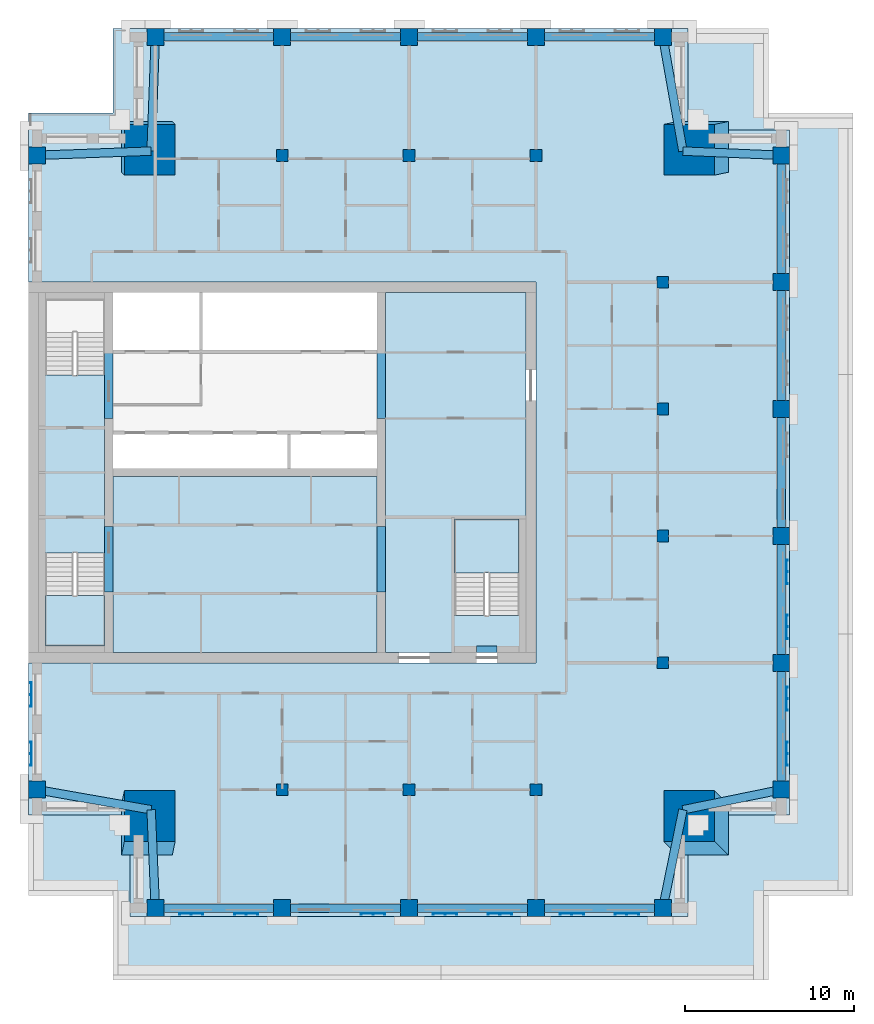
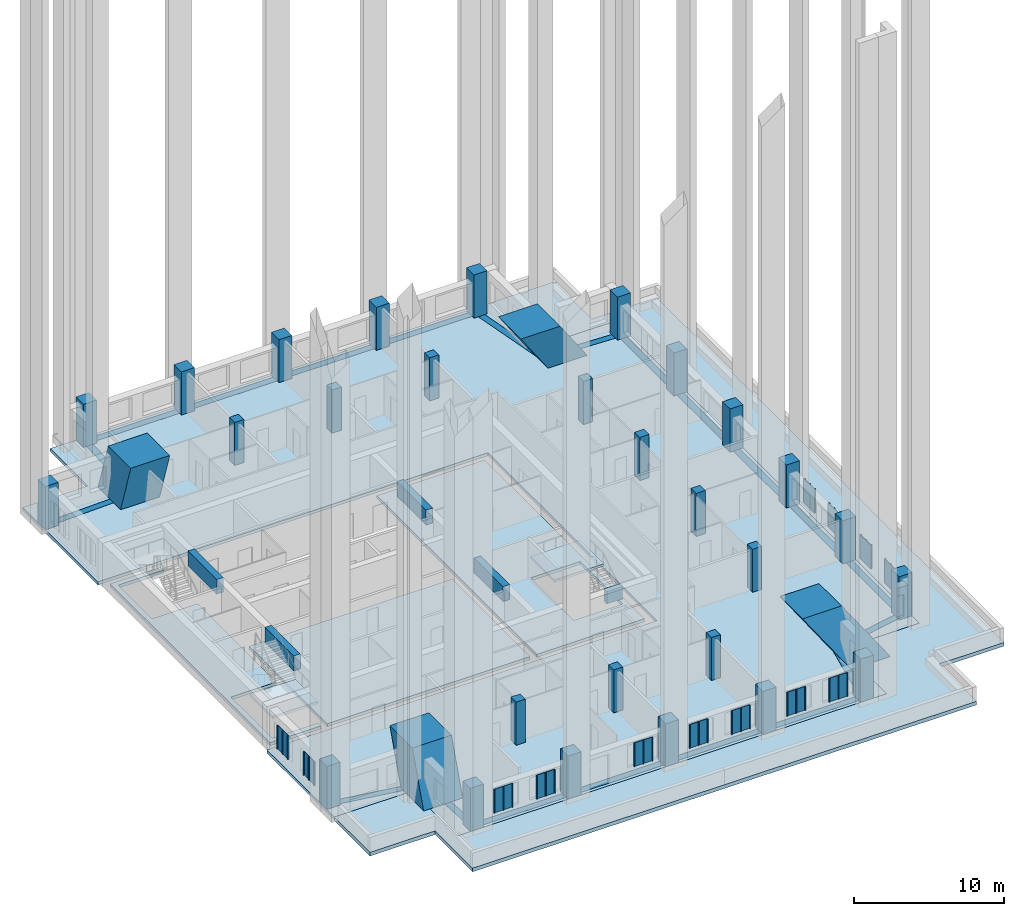
# One storey, part 1 of 12: 32 columns, 26 beams, 13 plates, 7 slabs, 2 elements without a shape of their own.
"""IFC4 building model written with IfcOpenShell, lengths in metres."""

from ifc_helpers import new_model, si_unit, direction, frame, origin, origin_2d, place, context, subcontext, project, spatial, polyline, rectangle, outline, extrude, material, layer, layer_set, material_profile, profile_set, type_object, element, aggregate, save


model = new_model("IFC4")

# Units and contexts
model_context = context("Model", 3, precision=1e-05, world=origin(), true_north=direction((0.0, 1.0)))
body_context = subcontext(model_context, "Body", "Model", "MODEL_VIEW")
ifc_project = project(units=[si_unit("LENGTHUNIT", "METRE"), si_unit("AREAUNIT", "SQUARE_METRE"), si_unit("VOLUMEUNIT", "CUBIC_METRE"), si_unit("PLANEANGLEUNIT", "RADIAN"), si_unit("MASSUNIT", "GRAM", prefix="KILO")], contexts=[model_context])

# Site, building, storey
site_placement = place(None, origin())
site = spatial("IfcSite", under=ifc_project, at=site_placement, CompositionType="ELEMENT")
building_placement = place(site_placement, origin())
building = spatial("IfcBuilding", under=site, at=building_placement, Name="Tamorin Gate", CompositionType="ELEMENT")
storey_placement = place(building_placement, frame((0.0, 0.0, 266.199951171875)))
storey = spatial("IfcBuildingStorey", under=building, at=storey_placement, Name="L66", CompositionType="ELEMENT", Elevation=266.199951171875)

# Columns
ifc_material_1 = material(Name="Concrete C50/60", Category="concrete")
ifc_material_profile_1 = material_profile(ifc_material_1, rectangle(XDim=1.0, YDim=1.0, at=origin_2d()), Name="RC 1000x1000")
ifc_profile_set_1 = profile_set([ifc_material_profile_1], Name="Concrete C50/60")
column_type_1 = type_object("IfcColumnType", Name="RC column 1000x1000 C50/60", PredefinedType="COLUMN", material=ifc_profile_set_1)
for number, where, z_axis, x_axis, name in (
    (1, (30.5, 52.5, 0.0), (0.0, 0.0, 1.0), (1.0, 0.0, 0.0), "Ring column L66"),
    (2, (30.5, 90.0, 0.0), (0.0, 0.0, 1.0), (1.0, 0.0, 0.0), "Ring column L66"),
    (3, (37.5, 45.5, 0.0), (0.0, 0.0, 1.0), (1.0, 0.0, 0.0), "Ring column L66"),
    (4, (37.5, 97.0, 0.0), (0.0, 0.0, 1.0), (1.0, 0.0, 0.0), "Ring column L66"),
    (5, (45.0, 45.5, 0.0), (0.0, 0.0, 1.0), (1.0, 0.0, 0.0), "Ring column L66"),
    (6, (45.0, 97.0, 0.0), (0.0, 0.0, 1.0), (1.0, 0.0, 0.0), "Ring column L66"),
    (7, (52.5, 45.5, 0.0), (0.0, 0.0, 1.0), (1.0, 0.0, 0.0), "Ring column L66"),
    (8, (52.5, 97.0, 0.0), (0.0, 0.0, 1.0), (1.0, 0.0, 0.0), "Ring column L66"),
    (9, (60.0, 45.5, 0.0), (0.0, 0.0, 1.0), (1.0, 0.0, 0.0), "Ring column L66"),
    (10, (60.0, 97.0, 0.0), (0.0, 0.0, 1.0), (1.0, 0.0, 0.0), "Ring column L66"),
    (11, (67.5, 45.5, 0.0), (0.0, 0.0, 1.0), (1.0, 0.0, 0.0), "Ring column L66"),
    (12, (67.5, 97.0, 0.0), (0.0, 0.0, 1.0), (1.0, 0.0, 0.0), "Ring column L66"),
    (13, (74.5, 52.5, 0.0), (0.0, 0.0, 1.0), (1.0, 0.0, 0.0), "Ring column L66"),
    (14, (74.5, 60.0, 0.0), (0.0, 0.0, 1.0), (1.0, 0.0, 0.0), "Ring column L66"),
    (15, (74.5, 67.5, 0.0), (0.0, 0.0, 1.0), (1.0, 0.0, 0.0), "Ring column L66"),
    (16, (74.5, 75.0, 0.0), (0.0, 0.0, 1.0), (1.0, 0.0, 0.0), "Ring column L66"),
    (17, (74.5, 82.5, 0.0), (0.0, 0.0, 1.0), (1.0, 0.0, 0.0), "Ring column L66"),
    (18, (74.5, 90.0, 0.0), (0.0, 0.0, 1.0), (1.0, 0.0, 0.0), "Ring column L66"),
):
    element("IfcColumn", number, at=place(storey_placement, frame(where, z_axis=z_axis, x_axis=x_axis)), inside=storey, type_object=column_type_1, Name=name, PredefinedType="COLUMN", context=body_context, shape_type="SweptSolid", body=[
        extrude(rectangle(XDim=1.0, YDim=1.0, at=origin_2d()), origin(), (0.0, 0.0, 1.0), 3.5),
    ])
ifc_material_profile_2 = material_profile(ifc_material_1, rectangle(XDim=3.0, YDim=3.0, at=origin_2d()), Name="RC 3000x3000")
ifc_profile_set_2 = profile_set([ifc_material_profile_2], Name="Concrete C50/60")
column_type_2 = type_object("IfcColumnType", Name="RC column 3000x3000 C50/60", PredefinedType="COLUMN", material=ifc_profile_set_2)
column_1_placement = place(storey_placement, frame((37.0, 50.125, 0.0), z_axis=(0.0, 0.0, 1.0), x_axis=(1.0, 0.0, 0.0)))
element("IfcColumn", 19, at=column_1_placement, inside=storey, type_object=column_type_2, Name="Mega column SW L66", PredefinedType="COLUMN", context=body_context, shape_type="SweptSolid", body=[
    extrude(rectangle(XDim=3.0, YDim=3.0, at=origin_2d()), origin(), (0.117393454177, 0.55761890734, 0.821754179237), 4.25927734375),
])
column_2_placement = place(storey_placement, frame((69.875, 50.125, 0.0), z_axis=(0.0, 0.0, 1.0), x_axis=(0.0, 1.0, 0.0)))
element("IfcColumn", 20, at=column_2_placement, inside=storey, type_object=column_type_2, Name="Mega column SE L66", PredefinedType="COLUMN", context=body_context, shape_type="SweptSolid", body=[
    extrude(rectangle(XDim=3.0, YDim=3.0, at=origin_2d()), origin(), (0.489599668429, 0.489599668429, 0.721515300842), 4.850830078125),
])
column_3_placement = place(storey_placement, frame((37.0, 90.5, 0.0), z_axis=(0.0, 0.0, 1.0), x_axis=(0.0, -1.0, 0.0)))
element("IfcColumn", 21, at=column_3_placement, inside=storey, type_object=column_type_2, Name="Mega column NW L66", PredefinedType="COLUMN", context=body_context, shape_type="SweptSolid", body=[
    extrude(rectangle(XDim=3.0, YDim=3.0, at=origin_2d()), origin(), (0.140028008403, 0.140028008403, 0.98019605882), 3.57080078125),
])
column_4_placement = place(storey_placement, frame((69.875, 90.5, 0.0), z_axis=(0.0, 0.0, 1.0), x_axis=(-1.0, 0.0, 0.0)))
element("IfcColumn", 22, at=column_4_placement, inside=storey, type_object=column_type_2, Name="Mega column NE L66", PredefinedType="COLUMN", context=body_context, shape_type="SweptSolid", body=[
    extrude(rectangle(XDim=3.0, YDim=3.0, at=origin_2d()), origin(), (0.55761890734, 0.117393454177, 0.821754179237), 4.25927734375),
])
ifc_material_profile_3 = material_profile(ifc_material_1, rectangle(XDim=0.699951171875, YDim=0.699951171875, at=origin_2d()), Name="RC 700x700")
ifc_profile_set_3 = profile_set([ifc_material_profile_3], Name="Concrete C50/60")
column_type_3 = type_object("IfcColumnType", Name="RC column 700x700 C50/60", PredefinedType="COLUMN", material=ifc_profile_set_3)
for number, where, z_axis, x_axis, name in (
    (23, (45.0, 52.5, 0.0), (0.0, 0.0, 1.0), (1.0, 0.0, 0.0), "Interior column L66"),
    (24, (45.0, 90.0, 0.0), (0.0, 0.0, 1.0), (1.0, 0.0, 0.0), "Interior column L66"),
    (25, (52.5, 52.5, 0.0), (0.0, 0.0, 1.0), (1.0, 0.0, 0.0), "Interior column L66"),
    (26, (52.5, 90.0, 0.0), (0.0, 0.0, 1.0), (1.0, 0.0, 0.0), "Interior column L66"),
    (27, (60.0, 52.5, 0.0), (0.0, 0.0, 1.0), (1.0, 0.0, 0.0), "Interior column L66"),
    (28, (60.0, 90.0, 0.0), (0.0, 0.0, 1.0), (1.0, 0.0, 0.0), "Interior column L66"),
    (29, (67.5, 60.0, 0.0), (0.0, 0.0, 1.0), (1.0, 0.0, 0.0), "Interior column L66"),
    (30, (67.5, 67.5, 0.0), (0.0, 0.0, 1.0), (1.0, 0.0, 0.0), "Interior column L66"),
    (31, (67.5, 75.0, 0.0), (0.0, 0.0, 1.0), (1.0, 0.0, 0.0), "Interior column L66"),
    (32, (67.5, 82.5, 0.0), (0.0, 0.0, 1.0), (1.0, 0.0, 0.0), "Interior column L66"),
):
    element("IfcColumn", number, at=place(storey_placement, frame(where, z_axis=z_axis, x_axis=x_axis)), inside=storey, type_object=column_type_3, Name=name, PredefinedType="COLUMN", context=body_context, shape_type="SweptSolid", body=[
        extrude(rectangle(XDim=0.699951171875, YDim=0.699951171875, at=origin_2d()), origin(), (0.0, 0.0, 1.0), 3.5),
    ])

# Beams
ifc_material_profile_4 = material_profile(ifc_material_1, rectangle(XDim=0.5, YDim=1.199951171875, at=origin_2d()), Name="RC 500x1200")
ifc_profile_set_4 = profile_set([ifc_material_profile_4], Name="Concrete C50/60")
beam_type_1 = type_object("IfcBeamType", Name="RC coupling beam 500x1200 C50/60", PredefinedType="BEAM", material=ifc_profile_set_4)
for number, where, z_axis, x_axis, name in (
    (33, (34.75, 64.199951171875, 2.900146484375), (0.0, 1.0, 0.0), (-1.0, 0.0, 0.0), "Coupling beam L66"),
    (34, (34.75, 74.449951171875, 2.900146484375), (0.0, 1.0, 0.0), (-1.0, 0.0, 0.0), "Coupling beam L66"),
    (35, (50.85009765625, 64.199951171875, 2.900146484375), (0.0, 1.0, 0.0), (-1.0, 0.0, 0.0), "Coupling beam L66"),
    (36, (50.85009765625, 74.449951171875, 2.900146484375), (0.0, 1.0, 0.0), (-1.0, 0.0, 0.0), "Coupling beam L66"),
):
    element("IfcBeam", number, at=place(storey_placement, frame(where, z_axis=z_axis, x_axis=x_axis)), inside=storey, type_object=beam_type_1, Name=name, PredefinedType="BEAM", context=body_context, shape_type="SweptSolid", body=[
        extrude(rectangle(XDim=0.5, YDim=1.199951171875, at=origin_2d()), origin(), (0.0, 0.0, 1.0), 3.85009765625),
    ])
ifc_material_profile_5 = material_profile(ifc_material_1, rectangle(XDim=0.5, YDim=0.75, at=origin_2d()), Name="RC 500x750")
ifc_profile_set_5 = profile_set([ifc_material_profile_5], Name="Concrete C50/60")
beam_type_2 = type_object("IfcBeamType", Name="RC spandrel 500x750 C50/60", PredefinedType="BEAM", material=ifc_profile_set_5)
for number, where, z_axis, x_axis, name in (
    (37, (37.5, 45.5, -0.375), (1.0, 0.0, 0.0), (0.0, 1.0, 0.0), "Spandrel beam L66"),
    (38, (45.0, 45.5, -0.375), (1.0, 0.0, 0.0), (0.0, 1.0, 0.0), "Spandrel beam L66"),
    (39, (52.5, 45.5, -0.375), (1.0, 0.0, 0.0), (0.0, 1.0, 0.0), "Spandrel beam L66"),
    (40, (60.0, 45.5, -0.375), (1.0, 0.0, 0.0), (0.0, 1.0, 0.0), "Spandrel beam L66"),
    (41, (74.5, 52.5, -0.375), (0.0, 1.0, 0.0), (-1.0, 0.0, 0.0), "Spandrel beam L66"),
    (42, (74.5, 60.0, -0.375), (0.0, 1.0, 0.0), (-1.0, 0.0, 0.0), "Spandrel beam L66"),
    (43, (74.5, 67.5, -0.375), (0.0, 1.0, 0.0), (-1.0, 0.0, 0.0), "Spandrel beam L66"),
    (44, (74.5, 75.0, -0.375), (0.0, 1.0, 0.0), (-1.0, 0.0, 0.0), "Spandrel beam L66"),
    (45, (74.5, 82.5, -0.375), (0.0, 1.0, 0.0), (-1.0, 0.0, 0.0), "Spandrel beam L66"),
    (46, (67.5, 97.0, -0.375), (-1.0, 0.0, 0.0), (0.0, -1.0, 0.0), "Spandrel beam L66"),
    (47, (60.0, 97.0, -0.375), (-1.0, 0.0, 0.0), (0.0, -1.0, 0.0), "Spandrel beam L66"),
    (48, (52.5, 97.0, -0.375), (-1.0, 0.0, 0.0), (0.0, -1.0, 0.0), "Spandrel beam L66"),
    (49, (45.0, 97.0, -0.375), (-1.0, 0.0, 0.0), (0.0, -1.0, 0.0), "Spandrel beam L66"),
):
    element("IfcBeam", number, at=place(storey_placement, frame(where, z_axis=z_axis, x_axis=x_axis)), inside=storey, type_object=beam_type_2, Name=name, PredefinedType="BEAM", context=body_context, shape_type="SweptSolid", body=[
        extrude(rectangle(XDim=0.5, YDim=0.75, at=origin_2d()), origin(), (0.0, 0.0, 1.0), 7.5),
    ])
beam_1_placement = place(storey_placement, frame((37.25, 51.3125, -0.375), z_axis=(0.04297102447, -0.999076318935, 0.0), x_axis=(0.999076318935, 0.04297102447, 0.0)))
element("IfcBeam", 50, at=beam_1_placement, inside=storey, type_object=beam_type_2, Name="Corner tie beam L66", PredefinedType="BEAM", context=body_context, shape_type="SweptSolid", body=[
    extrude(rectangle(XDim=0.5, YDim=0.75, at=origin_2d()), origin(), (0.0, 0.0, 1.0), 5.81787109375),
])
beam_2_placement = place(storey_placement, frame((37.25, 51.3125, -0.375), z_axis=(-0.984875225589, 0.173265085983, 0.0), x_axis=(-0.173265085983, -0.984875225589, 0.0)))
element("IfcBeam", 51, at=beam_2_placement, inside=storey, type_object=beam_type_2, Name="Corner tie beam L66", PredefinedType="BEAM", context=body_context, shape_type="SweptSolid", body=[
    extrude(rectangle(XDim=0.5, YDim=0.75, at=origin_2d()), origin(), (0.0, 0.0, 1.0), 6.853759765625),
])
for number, where, z_axis, x_axis, name in (
    (52, (68.6875, 51.3125, -0.375), (-0.200166412454, -0.979761913592, 0.0), (0.979761913592, -0.200166412454, 0.0), "Corner tie beam L66"),
    (53, (68.6875, 51.3125, -0.375), (0.979761913592, 0.200166412454, 0.0), (-0.200166412454, 0.979761913592, 0.0), "Corner tie beam L66"),
):
    element("IfcBeam", number, at=place(storey_placement, frame(where, z_axis=z_axis, x_axis=x_axis)), inside=storey, type_object=beam_type_2, Name=name, PredefinedType="BEAM", context=body_context, shape_type="SweptSolid", body=[
        extrude(rectangle(XDim=0.5, YDim=0.75, at=origin_2d()), origin(), (0.0, 0.0, 1.0), 5.9326171875),
    ])
for number, where, z_axis, x_axis, name in (
    (54, (37.25, 90.25, -0.375), (-0.999314833767, -0.03701166051, 0.0), (0.03701166051, -0.999314833767, 0.0), "Corner tie beam L66"),
    (55, (37.25, 90.25, -0.375), (0.03701166051, 0.999314833767, 0.0), (-0.999314833767, 0.03701166051, 0.0), "Corner tie beam L66"),
):
    element("IfcBeam", number, at=place(storey_placement, frame(where, z_axis=z_axis, x_axis=x_axis)), inside=storey, type_object=beam_type_2, Name=name, PredefinedType="BEAM", context=body_context, shape_type="SweptSolid", body=[
        extrude(rectangle(XDim=0.5, YDim=0.75, at=origin_2d()), origin(), (0.0, 0.0, 1.0), 6.754638671875),
    ])
beam_3_placement = place(storey_placement, frame((68.6875, 90.25, -0.375), z_axis=(0.999076318935, -0.04297102447, 0.0), x_axis=(0.04297102447, 0.999076318935, 0.0)))
element("IfcBeam", 56, at=beam_3_placement, inside=storey, type_object=beam_type_2, Name="Corner tie beam L66", PredefinedType="BEAM", context=body_context, shape_type="SweptSolid", body=[
    extrude(rectangle(XDim=0.5, YDim=0.75, at=origin_2d()), origin(), (0.0, 0.0, 1.0), 5.81787109375),
])
beam_4_placement = place(storey_placement, frame((68.6875, 90.25, -0.375), z_axis=(-0.173265085983, 0.984875225589, 0.0), x_axis=(-0.984875225589, -0.173265085983, 0.0)))
element("IfcBeam", 57, at=beam_4_placement, inside=storey, type_object=beam_type_2, Name="Corner tie beam L66", PredefinedType="BEAM", context=body_context, shape_type="SweptSolid", body=[
    extrude(rectangle(XDim=0.5, YDim=0.75, at=origin_2d()), origin(), (0.0, 0.0, 1.0), 6.853759765625),
])
ifc_material_profile_6 = material_profile(ifc_material_1, rectangle(XDim=0.39990234375, YDim=1.0, at=origin_2d()))
ifc_profile_set_6 = profile_set([ifc_material_profile_6], Name="Concrete C50/60")
beam_type_3 = type_object("IfcBeamType", Name="Stair lintel 400x1000 C50/60", PredefinedType="BEAM", material=ifc_profile_set_6)
beam_5_placement = place(storey_placement, frame((56.5, 60.800048828125, 2.699951171875), z_axis=(1.0, 0.0, 0.0), x_axis=(0.0, 1.0, 0.0)))
element("IfcBeam", 58, at=beam_5_placement, inside=storey, type_object=beam_type_3, Name="Stair lintel", PredefinedType="BEAM", context=body_context, shape_type="SweptSolid", body=[
    extrude(rectangle(XDim=0.39990234375, YDim=1.0, at=origin_2d()), origin(), (0.0, 0.0, 1.0), 1.199951171875),
])

# Slabs
ifc_material_2 = material(Name="Concrete C40/50", Category="concrete")
ifc_layer_1 = layer(ifc_material_2, 0.25)
ifc_layer_set_1 = layer_set([ifc_layer_1], Name="Core floor slab 250 C40/50")
slab_type_1 = type_object("IfcSlabType", Name="Core floor slab 250 C40/50", PredefinedType="FLOOR", material=ifc_layer_set_1)
slab_1_placement = place(storey_placement, frame((0.0, 0.0, -0.25)))
element("IfcSlab", 59, at=slab_1_placement, inside=storey, type_object=slab_type_1, Name="Core floor L66", PredefinedType="FLOOR", context=body_context, shape_type="SweptSolid", body=[
    extrude(outline(polyline([(51.10009765625, 81.89990234375), (59.39990234375, 81.89990234375), (59.39990234375, 60.60009765625), (51.10009765625, 60.60009765625), (51.10009765625, 81.89990234375)]), holes=[polyline([(55.199951171875, 62.800048828125), (59.0, 62.800048828125), (59.0, 68.5), (55.199951171875, 68.5), (55.199951171875, 62.800048828125)])]), origin(), (0.0, 0.0, 1.0), 0.25),
])
slab_2_placement = place(storey_placement, frame((0.0, 0.0, -0.25)))
element("IfcSlab", 60, at=slab_2_placement, inside=storey, type_object=slab_type_1, Name="Core floor L66", PredefinedType="FLOOR", context=body_context, shape_type="SweptSolid", body=[
    extrude(outline(polyline([(50.60009765625, 71.0), (50.60009765625, 60.60009765625), (35.0, 60.60009765625), (35.0, 71.0), (50.60009765625, 71.0)])), origin(), (0.0, 0.0, 1.0), 0.25),
])
slab_3_placement = place(storey_placement, frame((0.0, 0.0, -0.25)))
element("IfcSlab", 61, at=slab_3_placement, inside=storey, type_object=slab_type_1, Name="Core floor L66", PredefinedType="FLOOR", context=body_context, shape_type="SweptSolid", body=[
    extrude(outline(polyline([(34.5, 60.60009765625), (30.60009765625, 60.60009765625), (30.60009765625, 81.89990234375), (34.5, 81.89990234375), (34.5, 81.5), (31.0, 81.5), (31.0, 77.0), (34.5, 77.0), (34.5, 66.5), (31.0, 66.5), (31.0, 61.0), (34.5, 61.0), (34.5, 60.60009765625)])), origin(), (0.0, 0.0, 1.0), 0.25),
])

# Stair, slab
stair_type = type_object("IfcStairType", Name="Exit stair", PredefinedType="HALF_TURN_STAIR", material=ifc_material_2)
stair_1_placement = place(storey_placement, origin())
stair_1 = element("IfcStair", 62, at=stair_1_placement, inside=storey, type_object=stair_type, Name="L66 stair ST1", PredefinedType="HALF_TURN_STAIR")
ifc_layer_2 = layer(ifc_material_2, 0.199951171875)
ifc_layer_set_2 = layer_set([ifc_layer_2], Name="Exit stair landing 200")
slab_type_2 = type_object("IfcSlabType", Name="Exit stair landing 200", PredefinedType="LANDING", material=ifc_layer_set_2)
slab_4_placement = place(storey_placement, frame((0.0, 0.0, 1.550048828125)))
slab_4 = element("IfcSlab", 63, at=slab_4_placement, type_object=slab_type_2, Name="ST1 landing 1", PredefinedType="LANDING", context=body_context, shape_type="SweptSolid", body=[
    extrude(outline(polyline([(31.0, 63.97998046875), (31.0, 61.0), (34.5, 61.0), (34.5, 63.97998046875), (31.0, 63.97998046875)])), origin(), (0.0, 0.0, 1.0), 0.199951171875),
])
aggregate(stair_1, [slab_4])

stair_2_placement = place(storey_placement, origin())
stair_2 = element("IfcStair", 64, at=stair_2_placement, inside=storey, type_object=stair_type, Name="L66 stair ST3", PredefinedType="HALF_TURN_STAIR")
slab_5_placement = place(storey_placement, frame((0.0, 0.0, 1.550048828125)))
slab_5 = element("IfcSlab", 65, at=slab_5_placement, type_object=slab_type_2, Name="ST3 landing 1", PredefinedType="LANDING", context=body_context, shape_type="SweptSolid", body=[
    extrude(outline(polyline([(59.0, 65.320068359375), (59.0, 68.5), (55.199951171875, 68.5), (55.199951171875, 65.320068359375), (59.0, 65.320068359375)])), origin(), (0.0, 0.0, 1.0), 0.199951171875),
])
aggregate(stair_2, [slab_5])

# Slab
ifc_layer_3 = layer(ifc_material_2, 0.25)
ifc_layer_set_3 = layer_set([ifc_layer_3], Name="Floor slab 250 C40/50")
slab_type_3 = type_object("IfcSlabType", Name="Floor slab 250 C40/50", PredefinedType="FLOOR", material=ifc_layer_set_3)
slab_6_placement = place(storey_placement, frame((0.0, 0.0, -0.25)))
element("IfcSlab", 66, at=slab_6_placement, inside=storey, type_object=slab_type_3, Name="Floor L66", PredefinedType="FLOOR", context=body_context, shape_type="SweptSolid", body=[
    extrude(outline(polyline([(69.0, 91.5), (75.0, 91.5), (75.0, 51.0), (69.0, 51.0), (69.0, 45.0), (36.0, 45.0), (36.0, 51.0), (30.0, 51.0), (30.0, 60.0), (60.0, 60.0), (60.0, 82.5), (30.0, 82.5), (30.0, 92.5), (35.0, 92.5), (35.0, 97.5), (69.0, 97.5), (69.0, 91.5)])), origin(), (0.0, 0.0, 1.0), 0.25),
])

# Plates
ifc_material_3 = material(Name="Perforated pale aluminium sheet", Category="aluminium")
ifc_layer_4 = layer(ifc_material_3, 0.0400390625)
ifc_layer_set_4 = layer_set([ifc_layer_4], Name="Pale metal solar screen 1440")
plate_type = type_object("IfcPlateType", Name="Pale metal solar screen 1440", PredefinedType="SHEET", material=ifc_layer_set_4)
plate_1_placement = place(storey_placement, frame((0.0, 0.0, 0.737548828125)))
element("IfcPlate", 67, at=plate_1_placement, inside=storey, type_object=plate_type, Name="Perforated solar screen", PredefinedType="SHEET", context=body_context, shape_type="SweptSolid", body=[
    extrude(outline(polyline([(38.905029296875, 45.159912109375), (38.905029296875, 45.199951171875), (38.965087890625, 45.199951171875), (39.594970703125, 45.199951171875), (39.655029296875, 45.199951171875), (40.284912109375, 45.199951171875), (40.344970703125, 45.199951171875), (40.344970703125, 45.199951171875), (40.344970703125, 45.159912109375), (40.344970703125, 45.159912109375), (40.344970703125, 45.10009765625), (40.284912109375, 45.10009765625), (40.284912109375, 45.159912109375), (39.655029296875, 45.159912109375), (39.655029296875, 45.10009765625), (39.594970703125, 45.10009765625), (39.594970703125, 45.159912109375), (38.965087890625, 45.159912109375), (38.965087890625, 45.10009765625), (38.905029296875, 45.10009765625), (38.905029296875, 45.159912109375)])), origin(), (0.0, 0.0, 1.0), 1.925048828125),
])
plate_2_placement = place(storey_placement, frame((0.0, 0.0, 0.737548828125)))
element("IfcPlate", 68, at=plate_2_placement, inside=storey, type_object=plate_type, Name="Perforated solar screen", PredefinedType="SHEET", context=body_context, shape_type="SweptSolid", body=[
    extrude(outline(polyline([(42.155029296875, 45.159912109375), (42.155029296875, 45.199951171875), (42.215087890625, 45.199951171875), (42.844970703125, 45.199951171875), (42.905029296875, 45.199951171875), (43.534912109375, 45.199951171875), (43.594970703125, 45.199951171875), (43.594970703125, 45.199951171875), (43.594970703125, 45.159912109375), (43.594970703125, 45.159912109375), (43.594970703125, 45.10009765625), (43.534912109375, 45.10009765625), (43.534912109375, 45.159912109375), (42.905029296875, 45.159912109375), (42.905029296875, 45.10009765625), (42.844970703125, 45.10009765625), (42.844970703125, 45.159912109375), (42.215087890625, 45.159912109375), (42.215087890625, 45.10009765625), (42.155029296875, 45.10009765625), (42.155029296875, 45.159912109375)])), origin(), (0.0, 0.0, 1.0), 1.925048828125),
])
plate_3_placement = place(storey_placement, frame((0.0, 0.0, 0.737548828125)))
element("IfcPlate", 69, at=plate_3_placement, inside=storey, type_object=plate_type, Name="Perforated solar screen", PredefinedType="SHEET", context=body_context, shape_type="SweptSolid", body=[
    extrude(outline(polyline([(49.655029296875, 45.159912109375), (49.655029296875, 45.199951171875), (49.715087890625, 45.199951171875), (50.344970703125, 45.199951171875), (50.405029296875, 45.199951171875), (51.034912109375, 45.199951171875), (51.094970703125, 45.199951171875), (51.094970703125, 45.159912109375), (51.094970703125, 45.10009765625), (51.034912109375, 45.10009765625), (51.034912109375, 45.159912109375), (50.405029296875, 45.159912109375), (50.405029296875, 45.10009765625), (50.344970703125, 45.10009765625), (50.344970703125, 45.159912109375), (49.715087890625, 45.159912109375), (49.715087890625, 45.10009765625), (49.655029296875, 45.10009765625), (49.655029296875, 45.159912109375)])), origin(), (0.0, 0.0, 1.0), 1.925048828125),
])
plate_4_placement = place(storey_placement, frame((0.0, 0.0, 0.737548828125)))
element("IfcPlate", 70, at=plate_4_placement, inside=storey, type_object=plate_type, Name="Perforated solar screen", PredefinedType="SHEET", context=body_context, shape_type="SweptSolid", body=[
    extrude(outline(polyline([(53.905029296875, 45.159912109375), (53.905029296875, 45.199951171875), (53.965087890625, 45.199951171875), (54.594970703125, 45.199951171875), (54.655029296875, 45.199951171875), (55.284912109375, 45.199951171875), (55.344970703125, 45.199951171875), (55.344970703125, 45.159912109375), (55.344970703125, 45.10009765625), (55.284912109375, 45.10009765625), (55.284912109375, 45.159912109375), (54.655029296875, 45.159912109375), (54.655029296875, 45.10009765625), (54.594970703125, 45.10009765625), (54.594970703125, 45.159912109375), (53.965087890625, 45.159912109375), (53.965087890625, 45.10009765625), (53.905029296875, 45.10009765625), (53.905029296875, 45.159912109375)])), origin(), (0.0, 0.0, 1.0), 1.925048828125),
])
plate_5_placement = place(storey_placement, frame((0.0, 0.0, 0.737548828125)))
element("IfcPlate", 71, at=plate_5_placement, inside=storey, type_object=plate_type, Name="Perforated solar screen", PredefinedType="SHEET", context=body_context, shape_type="SweptSolid", body=[
    extrude(outline(polyline([(57.155029296875, 45.159912109375), (57.155029296875, 45.199951171875), (57.215087890625, 45.199951171875), (57.844970703125, 45.199951171875), (57.905029296875, 45.199951171875), (58.534912109375, 45.199951171875), (58.594970703125, 45.199951171875), (58.594970703125, 45.159912109375), (58.594970703125, 45.10009765625), (58.534912109375, 45.10009765625), (58.534912109375, 45.159912109375), (57.905029296875, 45.159912109375), (57.905029296875, 45.10009765625), (57.844970703125, 45.10009765625), (57.844970703125, 45.159912109375), (57.215087890625, 45.159912109375), (57.215087890625, 45.10009765625), (57.155029296875, 45.10009765625), (57.155029296875, 45.159912109375)])), origin(), (0.0, 0.0, 1.0), 1.925048828125),
])
plate_6_placement = place(storey_placement, frame((0.0, 0.0, 0.737548828125)))
element("IfcPlate", 72, at=plate_6_placement, inside=storey, type_object=plate_type, Name="Perforated solar screen", PredefinedType="SHEET", context=body_context, shape_type="SweptSolid", body=[
    extrude(outline(polyline([(61.405029296875, 45.159912109375), (61.405029296875, 45.199951171875), (61.465087890625, 45.199951171875), (62.094970703125, 45.199951171875), (62.155029296875, 45.199951171875), (62.784912109375, 45.199951171875), (62.844970703125, 45.199951171875), (62.844970703125, 45.159912109375), (62.844970703125, 45.10009765625), (62.784912109375, 45.10009765625), (62.784912109375, 45.159912109375), (62.155029296875, 45.159912109375), (62.155029296875, 45.10009765625), (62.094970703125, 45.10009765625), (62.094970703125, 45.159912109375), (61.465087890625, 45.159912109375), (61.465087890625, 45.10009765625), (61.405029296875, 45.10009765625), (61.405029296875, 45.159912109375)])), origin(), (0.0, 0.0, 1.0), 1.925048828125),
])
plate_7_placement = place(storey_placement, frame((0.0, 0.0, 0.737548828125)))
element("IfcPlate", 73, at=plate_7_placement, inside=storey, type_object=plate_type, Name="Perforated solar screen", PredefinedType="SHEET", context=body_context, shape_type="SweptSolid", body=[
    extrude(outline(polyline([(64.655029296875, 45.159912109375), (64.655029296875, 45.199951171875), (64.715087890625, 45.199951171875), (65.344970703125, 45.199951171875), (65.405029296875, 45.199951171875), (66.034912109375, 45.199951171875), (66.094970703125, 45.199951171875), (66.094970703125, 45.159912109375), (66.094970703125, 45.10009765625), (66.034912109375, 45.10009765625), (66.034912109375, 45.159912109375), (65.405029296875, 45.159912109375), (65.405029296875, 45.10009765625), (65.344970703125, 45.10009765625), (65.344970703125, 45.159912109375), (64.715087890625, 45.159912109375), (64.715087890625, 45.10009765625), (64.655029296875, 45.10009765625), (64.655029296875, 45.159912109375)])), origin(), (0.0, 0.0, 1.0), 1.925048828125),
])
plate_8_placement = place(storey_placement, frame((0.0, 0.0, 0.737548828125)))
element("IfcPlate", 74, at=plate_8_placement, inside=storey, type_object=plate_type, Name="Perforated solar screen", PredefinedType="SHEET", context=body_context, shape_type="SweptSolid", body=[
    extrude(outline(polyline([(74.840087890625, 53.905029296875), (74.800048828125, 53.905029296875), (74.800048828125, 53.965087890625), (74.800048828125, 54.594970703125), (74.800048828125, 54.655029296875), (74.800048828125, 55.284912109375), (74.800048828125, 55.344970703125), (74.800048828125, 55.344970703125), (74.840087890625, 55.344970703125), (74.840087890625, 55.344970703125), (74.89990234375, 55.344970703125), (74.89990234375, 55.284912109375), (74.840087890625, 55.284912109375), (74.840087890625, 54.655029296875), (74.89990234375, 54.655029296875), (74.89990234375, 54.594970703125), (74.840087890625, 54.594970703125), (74.840087890625, 53.965087890625), (74.89990234375, 53.965087890625), (74.89990234375, 53.905029296875), (74.840087890625, 53.905029296875)])), origin(), (0.0, 0.0, 1.0), 1.925048828125),
])
plate_9_placement = place(storey_placement, frame((0.0, 0.0, 0.737548828125)))
element("IfcPlate", 75, at=plate_9_placement, inside=storey, type_object=plate_type, Name="Perforated solar screen", PredefinedType="SHEET", context=body_context, shape_type="SweptSolid", body=[
    extrude(outline(polyline([(74.840087890625, 57.155029296875), (74.800048828125, 57.155029296875), (74.800048828125, 57.215087890625), (74.800048828125, 57.844970703125), (74.800048828125, 57.905029296875), (74.800048828125, 58.534912109375), (74.800048828125, 58.594970703125), (74.800048828125, 58.594970703125), (74.840087890625, 58.594970703125), (74.840087890625, 58.594970703125), (74.89990234375, 58.594970703125), (74.89990234375, 58.534912109375), (74.840087890625, 58.534912109375), (74.840087890625, 57.905029296875), (74.89990234375, 57.905029296875), (74.89990234375, 57.844970703125), (74.840087890625, 57.844970703125), (74.840087890625, 57.215087890625), (74.89990234375, 57.215087890625), (74.89990234375, 57.155029296875), (74.840087890625, 57.155029296875)])), origin(), (0.0, 0.0, 1.0), 1.925048828125),
])
plate_10_placement = place(storey_placement, frame((0.0, 0.0, 0.737548828125)))
element("IfcPlate", 76, at=plate_10_placement, inside=storey, type_object=plate_type, Name="Perforated solar screen", PredefinedType="SHEET", context=body_context, shape_type="SweptSolid", body=[
    extrude(outline(polyline([(74.840087890625, 61.405029296875), (74.800048828125, 61.405029296875), (74.800048828125, 61.465087890625), (74.800048828125, 62.094970703125), (74.800048828125, 62.155029296875), (74.800048828125, 62.784912109375), (74.800048828125, 62.844970703125), (74.840087890625, 62.844970703125), (74.89990234375, 62.844970703125), (74.89990234375, 62.784912109375), (74.840087890625, 62.784912109375), (74.840087890625, 62.155029296875), (74.89990234375, 62.155029296875), (74.89990234375, 62.094970703125), (74.840087890625, 62.094970703125), (74.840087890625, 61.465087890625), (74.89990234375, 61.465087890625), (74.89990234375, 61.405029296875), (74.840087890625, 61.405029296875)])), origin(), (0.0, 0.0, 1.0), 1.925048828125),
])
plate_11_placement = place(storey_placement, frame((0.0, 0.0, 0.737548828125)))
element("IfcPlate", 77, at=plate_11_placement, inside=storey, type_object=plate_type, Name="Perforated solar screen", PredefinedType="SHEET", context=body_context, shape_type="SweptSolid", body=[
    extrude(outline(polyline([(74.840087890625, 64.655029296875), (74.800048828125, 64.655029296875), (74.800048828125, 64.715087890625), (74.800048828125, 65.344970703125), (74.800048828125, 65.405029296875), (74.800048828125, 66.034912109375), (74.800048828125, 66.094970703125), (74.840087890625, 66.094970703125), (74.89990234375, 66.094970703125), (74.89990234375, 66.034912109375), (74.840087890625, 66.034912109375), (74.840087890625, 65.405029296875), (74.89990234375, 65.405029296875), (74.89990234375, 65.344970703125), (74.840087890625, 65.344970703125), (74.840087890625, 64.715087890625), (74.89990234375, 64.715087890625), (74.89990234375, 64.655029296875), (74.840087890625, 64.655029296875)])), origin(), (0.0, 0.0, 1.0), 1.925048828125),
])
plate_12_placement = place(storey_placement, frame((0.0, 0.0, 0.737548828125)))
element("IfcPlate", 78, at=plate_12_placement, inside=storey, type_object=plate_type, Name="Perforated solar screen", PredefinedType="SHEET", context=body_context, shape_type="SweptSolid", body=[
    extrude(outline(polyline([(30.159912109375, 55.344970703125), (30.199951171875, 55.344970703125), (30.199951171875, 55.284912109375), (30.199951171875, 54.655029296875), (30.199951171875, 54.594970703125), (30.199951171875, 53.965087890625), (30.199951171875, 53.905029296875), (30.159912109375, 53.905029296875), (30.10009765625, 53.905029296875), (30.10009765625, 53.965087890625), (30.159912109375, 53.965087890625), (30.159912109375, 54.594970703125), (30.10009765625, 54.594970703125), (30.10009765625, 54.655029296875), (30.159912109375, 54.655029296875), (30.159912109375, 55.284912109375), (30.10009765625, 55.284912109375), (30.10009765625, 55.344970703125), (30.159912109375, 55.344970703125)])), origin(), (0.0, 0.0, 1.0), 1.925048828125),
])
plate_13_placement = place(storey_placement, frame((0.0, 0.0, 0.737548828125)))
element("IfcPlate", 79, at=plate_13_placement, inside=storey, type_object=plate_type, Name="Perforated solar screen", PredefinedType="SHEET", context=body_context, shape_type="SweptSolid", body=[
    extrude(outline(polyline([(30.159912109375, 58.844970703125), (30.199951171875, 58.844970703125), (30.199951171875, 58.784912109375), (30.199951171875, 58.155029296875), (30.199951171875, 58.094970703125), (30.199951171875, 57.465087890625), (30.199951171875, 57.405029296875), (30.159912109375, 57.405029296875), (30.10009765625, 57.405029296875), (30.10009765625, 57.465087890625), (30.159912109375, 57.465087890625), (30.159912109375, 58.094970703125), (30.10009765625, 58.094970703125), (30.10009765625, 58.155029296875), (30.159912109375, 58.155029296875), (30.159912109375, 58.784912109375), (30.10009765625, 58.784912109375), (30.10009765625, 58.844970703125), (30.159912109375, 58.844970703125)])), origin(), (0.0, 0.0, 1.0), 1.925048828125),
])

# Slab
ifc_layer_5 = layer(ifc_material_2, 0.300048828125)
ifc_layer_set_5 = layer_set([ifc_layer_5], Name="Terrace slab 300 C40/50")
slab_type_4 = type_object("IfcSlabType", Name="Terrace slab 300 C40/50", PredefinedType="ROOF", material=ifc_layer_set_5)
slab_7_placement = place(storey_placement, frame((0.0, 0.0, -0.300048828125)))
element("IfcSlab", 80, at=slab_7_placement, inside=storey, type_object=slab_type_4, Name="Terrace L66", PredefinedType="ROOF", context=body_context, shape_type="SweptSolid", body=[
    extrude(outline(polyline([(73.75, 97.5), (73.75, 92.5), (78.75, 92.5), (78.75, 46.25), (73.75, 46.25), (73.75, 41.25), (35.0, 41.25), (35.0, 46.25), (30.0, 46.25), (30.0, 51.0), (36.0, 51.0), (36.0, 45.0), (69.0, 45.0), (69.0, 51.0), (75.0, 51.0), (75.0, 91.5), (69.0, 91.5), (69.0, 97.5), (73.75, 97.5)])), origin(), (0.0, 0.0, 1.0), 0.300048828125),
])

save(model, "model.ifc")
